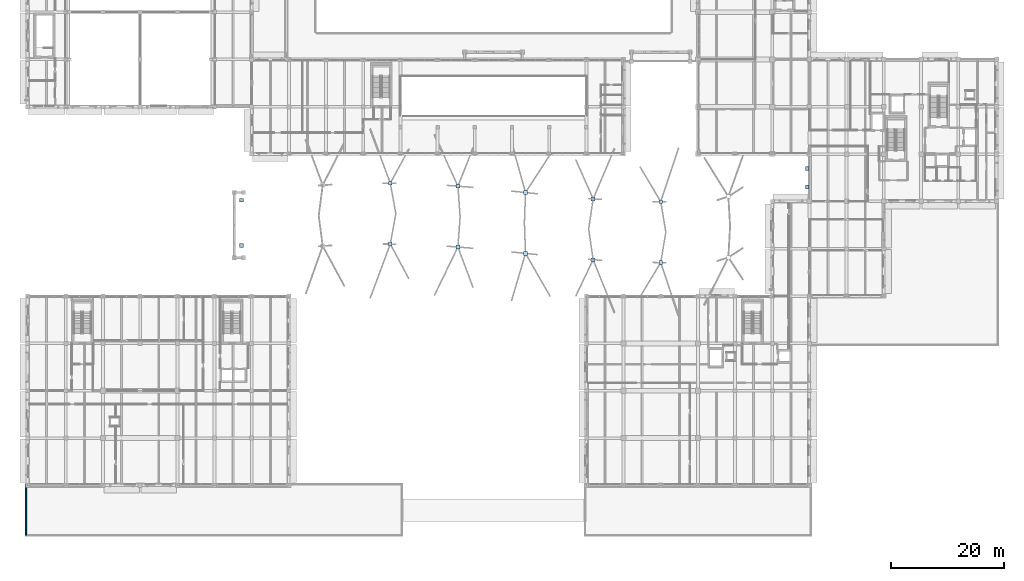
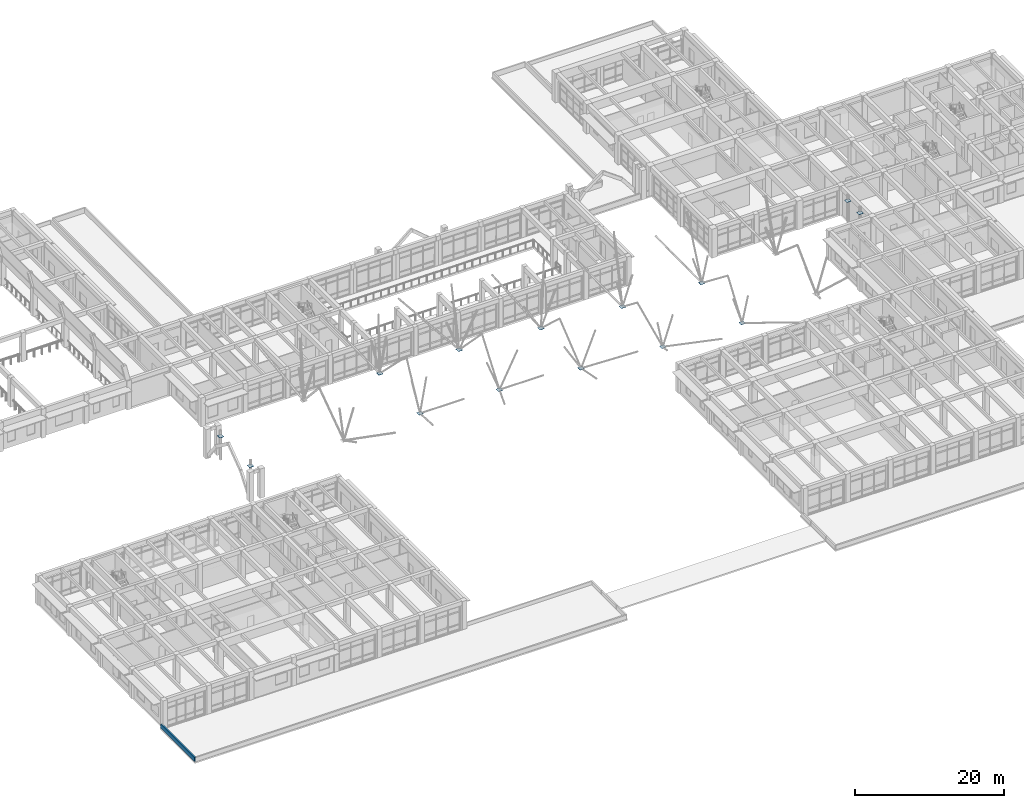
# One storey, part 41 of 75: 14 plates, 1 wall.
"""IFC4 building model written with IfcOpenShell, lengths in metres."""

import ifcopenshell
import ifcopenshell.guid

model = None  # the IFC model being written
_history = None  # IfcOwnerHistory: only IFC2X3 demands one
_inside = {}  # id of a spatial element -> (the spatial element, [elements in it])
_under = {}  # id of a project, library or spatial element -> (it, [spatial elements below it])
_declared = {}  # id of a project -> (the project, [libraries it declares])
_typed = {}  # id of a type object -> (the type object, [elements of that type])
_made_of = {}  # id of a material, layer set ... -> (it, [elements and type objects made of it])


def new_model(schema):
    """Start an empty IFC model of exactly this schema.

    Asked for "IFC4X3", IfcOpenShell would pick the latest addendum, in which some entities
    have other attributes; the version numbers below select the first issue.
    IFC2X3 requires an IfcOwnerHistory on every rooted entity: one is made here for all.
    """
    global model, _history
    if schema == "IFC4X3":
        model = ifcopenshell.file(schema_version=(4, 3, 0, 0))
    else:
        model = ifcopenshell.file(schema=schema)
    _inside.clear()
    _under.clear()
    _declared.clear()
    _typed.clear()
    _made_of.clear()
    _history = None
    if model.schema == "IFC2X3":
        org = make("IfcOrganization", Name="unknown")
        user = make(
            "IfcPersonAndOrganization",
            ThePerson=make("IfcPerson", FamilyName="unknown"),
            TheOrganization=org,
        )
        app = make(
            "IfcApplication",
            ApplicationDeveloper=org,
            Version="unknown",
            ApplicationFullName="unknown",
            ApplicationIdentifier="unknown",
        )
        _history = make(
            "IfcOwnerHistory",
            OwningUser=user,
            OwningApplication=app,
            ChangeAction="ADDED",
            CreationDate=0,
        )
    return model


def make(cls, **values):
    """One entity of the class cls with the attributes given. An attribute that is None is left unset."""
    return model.create_entity(
        cls, **{name: value for name, value in values.items() if value is not None}
    )


def rooted(cls, **values):
    """An entity with a GlobalId (a new one), such as an element, a storey or a relation."""
    return make(cls, GlobalId=ifcopenshell.guid.new(), OwnerHistory=_history, **values)


def si_unit(unit_type, name, prefix=None):
    """IfcSIUnit, for example si_unit("LENGTHUNIT", "METRE", prefix="MILLI")."""
    return make("IfcSIUnit", UnitType=unit_type, Prefix=prefix, Name=name)


def assignment(units):
    """IfcUnitAssignment: the units of a project."""
    return None if units is None else make("IfcUnitAssignment", Units=units)


def point(xyz):
    """IfcCartesianPoint."""
    return None if xyz is None else make("IfcCartesianPoint", Coordinates=xyz)


def direction(xyz):
    """IfcDirection."""
    return None if xyz is None else make("IfcDirection", DirectionRatios=xyz)


def frame(location, z_axis=None, x_axis=None):
    """IfcAxis2Placement3D, a coordinate frame: its origin and axes. An axis left out is left unset."""
    return make(
        "IfcAxis2Placement3D",
        Location=point(location),
        Axis=direction(z_axis),
        RefDirection=direction(x_axis),
    )


def frame_2d(location, x_axis=None):
    """IfcAxis2Placement2D, a coordinate frame in the plane: its origin and x axis."""
    return make(
        "IfcAxis2Placement2D", Location=point(location), RefDirection=direction(x_axis)
    )


def origin():
    """The frame at (0, 0, 0) with its axes left unset."""
    return frame((0.0, 0.0, 0.0))


def origin_2d():
    """The frame at (0, 0) in the plane with its x axis left unset."""
    return frame_2d((0.0, 0.0))


def place(relative_to, where):
    """IfcLocalPlacement: puts the frame where relative to a parent placement (None: the world)."""
    return make(
        "IfcLocalPlacement", PlacementRelTo=relative_to, RelativePlacement=where
    )


def context(
    kind, dimensions, precision=None, world=None, true_north=None, identifier=None
):
    """IfcGeometricRepresentationContext, for example the 3D "Model" context."""
    return make(
        "IfcGeometricRepresentationContext",
        ContextIdentifier=identifier,
        ContextType=kind,
        CoordinateSpaceDimension=dimensions,
        Precision=precision,
        WorldCoordinateSystem=world,
        TrueNorth=true_north,
    )


def subcontext(parent, identifier, kind, view, scale=None):
    """IfcGeometricRepresentationSubContext, for example "Body" below "Model"."""
    return make(
        "IfcGeometricRepresentationSubContext",
        ContextIdentifier=identifier,
        ContextType=kind,
        ParentContext=parent,
        TargetScale=scale,
        TargetView=view,
    )


def project(units=None, contexts=None):
    """IfcProject with its units and contexts."""
    return rooted(
        "IfcProject",
        Name="project",
        RepresentationContexts=contexts,
        UnitsInContext=assignment(units),
    )


def spatial(cls, under=None, at=None, **own):
    """A site, building, storey or space (cls), placed at a placement, below another one or the project."""
    s = rooted(cls, ObjectPlacement=at, **own)
    if under is not None:
        _under.setdefault(under.id(), (under, []))[1].append(s)
    return s


def profile(cls, at=None, kind="AREA", **sizes):
    """A parametric profile (cls). Its sizes go by their IFC names, for example OverallWidth=200.0."""
    return make(cls, ProfileType=kind, Position=at, **sizes)


def rectangle(**sizes):
    """IfcRectangleProfileDef."""
    return profile("IfcRectangleProfileDef", **sizes)


def extrude(swept, where, along, depth):
    """IfcExtrudedAreaSolid: the profile swept, set in the frame where, extruded along a direction by depth."""
    return make(
        "IfcExtrudedAreaSolid",
        SweptArea=swept,
        Position=where,
        ExtrudedDirection=direction(along),
        Depth=depth,
    )


def shape(context_of_items, identifier, shape_type, items):
    """IfcShapeRepresentation: the items that make up one representation, for example the "Body"."""
    return make(
        "IfcShapeRepresentation",
        ContextOfItems=context_of_items,
        RepresentationIdentifier=identifier,
        RepresentationType=shape_type,
        Items=items,
    )


def material(Name=None, Category=None):
    """IfcMaterial."""
    return make("IfcMaterial", Name=Name, Category=Category)


def layer(
    of_material, thickness, ventilated=None, Name=None, Category=None, Priority=None
):
    """IfcMaterialLayer: one layer of a wall or slab, of a material (None: an air gap)."""
    return make(
        "IfcMaterialLayer",
        Material=of_material,
        LayerThickness=thickness,
        IsVentilated=ventilated,
        Name=Name,
        Category=Category,
        Priority=Priority,
    )


def layer_set(layers, Name=None):
    """IfcMaterialLayerSet."""
    return make("IfcMaterialLayerSet", MaterialLayers=layers, LayerSetName=Name)


def made_of(thing, what):
    """Note that an element or type object is made of a material, layer set ...; save() writes the relation."""
    if what is not None:
        _made_of.setdefault(what.id(), (what, []))[1].append(thing)
    return thing


def type_object(cls, material=None, **own):
    """A type object (cls), such as IfcWallType, which elements share."""
    return made_of(rooted(cls, **own), material)


def element(
    cls,
    number,
    at=None,
    inside=None,
    cuts=None,
    type_object=None,
    material=None,
    context=None,
    identifier="Body",
    shape_type=None,
    held_by="IfcProductDefinitionShape",
    body=None,
    shapes=None,
    **own,
):
    """One element of the class cls, such as IfcWall. Its Tag is "e" and its number.

    at: its placement. inside: the storey or other place that contains it. cuts: it is an
    opening in that element (IfcRelVoidsElement). A single representation is given by context,
    identifier, shape_type and body (its items); several are given by shapes. held_by: the class
    of the entity that holds the representations. save() writes the other relations.
    """
    e = rooted(cls, Tag="e%d" % number, ObjectPlacement=at, **own)
    if body is not None:
        shapes = [shape(context, identifier, shape_type, body)]
    if shapes is not None:
        e.Representation = make(held_by, Representations=shapes)
    if inside is not None:
        _inside.setdefault(inside.id(), (inside, []))[1].append(e)
    if cuts is not None:
        rooted(
            "IfcRelVoidsElement", RelatingBuildingElement=cuts, RelatedOpeningElement=e
        )
    if type_object is not None:
        _typed.setdefault(type_object.id(), (type_object, []))[1].append(e)
    return made_of(e, material)


def aggregate(whole, parts):
    """IfcRelAggregates: a whole, such as a stair, and the parts it consists of."""
    return rooted("IfcRelAggregates", RelatingObject=whole, RelatedObjects=parts)


def save(model, path):
    """Write the relations noted so far, then the file.

    IfcRelAggregates (storeys below a building ...), IfcRelContainedInSpatialStructure (elements
    in a storey), IfcRelDefinesByType, IfcRelAssociatesMaterial and IfcRelDeclares: one each for
    every whole, place, type object, material and project.
    """
    for whole, parts in _under.values():
        aggregate(whole, parts)
    for where, things in _inside.values():
        rooted(
            "IfcRelContainedInSpatialStructure",
            RelatedElements=things,
            RelatingStructure=where,
        )
    for kind, things in _typed.values():
        rooted("IfcRelDefinesByType", RelatedObjects=things, RelatingType=kind)
    for what, things in _made_of.values():
        rooted("IfcRelAssociatesMaterial", RelatedObjects=things, RelatingMaterial=what)
    for by, libraries in _declared.values():
        rooted("IfcRelDeclares", RelatingContext=by, RelatedDefinitions=libraries)
    model.write(path)


model = new_model("IFC4")

# Units and contexts
model_context = context("Model", 3, precision=1e-05, world=origin(), true_north=direction((0.0, 1.0)))
body_context = subcontext(model_context, "Body", "Model", "MODEL_VIEW")
ifc_project = project(units=[si_unit("LENGTHUNIT", "METRE"), si_unit("AREAUNIT", "SQUARE_METRE"), si_unit("VOLUMEUNIT", "CUBIC_METRE"), si_unit("PLANEANGLEUNIT", "RADIAN"), si_unit("MASSUNIT", "GRAM", prefix="KILO")], contexts=[model_context])

# Site, building, storey
site_placement = place(None, origin())
site = spatial("IfcSite", under=ifc_project, at=site_placement, CompositionType="ELEMENT")
building_placement = place(site_placement, origin())
building = spatial("IfcBuilding", under=site, at=building_placement, Name="Kolvaren Faculty of Natural Sciences", CompositionType="ELEMENT")
storey_placement = place(building_placement, frame((0.0, 0.0, 5.39990234375)))
storey = spatial("IfcBuildingStorey", under=building, at=storey_placement, Name="L01", CompositionType="ELEMENT", Elevation=5.39990234375)

# Plates
ifc_material_1 = material(Name="Structural steel EN 10025-2 S355J2 (white architectural finish)", Category="steel")
ifc_layer_1 = layer(ifc_material_1, 0.030029296875)
ifc_layer_set_1 = layer_set([ifc_layer_1], Name="Structural steel EN 10025-2 S355J2 (white architectural finish)")
plate_type_1 = type_object("IfcPlateType", Name="PortalTreeNodePlate_TN2", PredefinedType="USERDEFINED", material=ifc_layer_set_1)
for number, where, z_axis, x_axis, name in (
    (1, (38.0, 51.199951171875, 3.78759765625), (0.0, 0.0, 1.0), (1.0, 0.0, 0.0), "Canopy portal W-S branch collar node TN2"),
    (2, (38.0, 59.199951171875, 3.78759765625), (0.0, 0.0, 1.0), (1.0, 0.0, 0.0), "Canopy portal W-N branch collar node TN2"),
    (3, (138.39990234375, 61.565185546875, 3.78759765625), (0.0, 0.0, 1.0), (1.0, 0.0, 0.0), "Canopy portal E-S branch collar node TN2"),
    (4, (138.39990234375, 64.834716796875, 3.78759765625), (0.0, 0.0, 1.0), (1.0, 0.0, 0.0), "Canopy portal E-N branch collar node TN2"),
):
    element("IfcPlate", number, at=place(storey_placement, frame(where, z_axis=z_axis, x_axis=x_axis)), inside=storey, type_object=plate_type_1, Name=name, ObjectType="GUSSET PLATE", PredefinedType="USERDEFINED", context=body_context, shape_type="SweptSolid", body=[
        extrude(rectangle(XDim=0.679931640625, YDim=0.679931640625, at=origin_2d()), origin(), (0.0, 0.0, 1.0), 0.02490234375),
    ])
ifc_layer_2 = layer(ifc_material_1, 0.02490234375)
ifc_layer_set_2 = layer_set([ifc_layer_2], Name="Structural steel EN 10025-2 S355J2 (white architectural finish)")
plate_type_2 = type_object("IfcPlateType", Name="TreeTrunkNodePlate_TN1", PredefinedType="USERDEFINED", material=ifc_layer_set_2)
for number, where, z_axis, x_axis, name in (
    (5, (64.39990234375, 51.444580078125, 2.987548828125), (0.0, 0.0, 1.0), (1.0, 0.0, 0.0), "Steel tree TREE-03 branching gusset node TN1"),
    (6, (64.39990234375, 62.244384765625, 2.987548828125), (0.0, 0.0, 1.0), (1.0, 0.0, 0.0), "Steel tree TREE-04 branching gusset node TN1"),
    (7, (76.39990234375, 50.91064453125, 2.987548828125), (0.0, 0.0, 1.0), (1.0, 0.0, 0.0), "Steel tree TREE-05 branching gusset node TN1"),
    (8, (76.39990234375, 61.710693359375, 2.987548828125), (0.0, 0.0, 1.0), (1.0, 0.0, 0.0), "Steel tree TREE-06 branching gusset node TN1"),
    (9, (88.39990234375, 49.779296875, 2.987548828125), (0.0, 0.0, 1.0), (1.0, 0.0, 0.0), "Steel tree TREE-07 branching gusset node TN1"),
    (10, (88.39990234375, 60.579345703125, 2.987548828125), (0.0, 0.0, 1.0), (1.0, 0.0, 0.0), "Steel tree TREE-08 branching gusset node TN1"),
    (11, (100.39990234375, 48.6591796875, 2.987548828125), (0.0, 0.0, 1.0), (1.0, 0.0, 0.0), "Steel tree TREE-09 branching gusset node TN1"),
    (12, (100.39990234375, 59.458984375, 2.987548828125), (0.0, 0.0, 1.0), (1.0, 0.0, 0.0), "Steel tree TREE-10 branching gusset node TN1"),
    (13, (112.39990234375, 48.152587890625, 2.987548828125), (0.0, 0.0, 1.0), (1.0, 0.0, 0.0), "Steel tree TREE-11 branching gusset node TN1"),
    (14, (112.39990234375, 58.95263671875, 2.987548828125), (0.0, 0.0, 1.0), (1.0, 0.0, 0.0), "Steel tree TREE-12 branching gusset node TN1"),
):
    element("IfcPlate", number, at=place(storey_placement, frame(where, z_axis=z_axis, x_axis=x_axis)), inside=storey, type_object=plate_type_2, Name=name, ObjectType="GUSSET PLATE", PredefinedType="USERDEFINED", context=body_context, shape_type="SweptSolid", body=[
        extrude(rectangle(XDim=0.679931640625, YDim=0.679931640625, at=origin_2d()), origin(), (0.0, 0.0, 1.0), 0.02490234375),
    ])

# Wall
ifc_material_2 = material(Name="Precast concrete C35/45", Category="concrete")
ifc_layer_3 = layer(ifc_material_2, 0.219970703125)
ifc_layer_set_3 = layer_set([ifc_layer_3], Name="Precast concrete C35/45")
wall_type = type_object("IfcWallType", Name="ParapetUpstandWall_220", PredefinedType="PARAPET", material=ifc_layer_set_3)
wall_placement = place(storey_placement, frame((-0.280029296875, -0.280029296875, 0.0), z_axis=(0.0, 0.0, 1.0), x_axis=(0.0, 1.0, 0.0)))
element("IfcWall", 15, at=wall_placement, inside=storey, type_object=wall_type, Name="L01 architectural sandstone roof parapet 6", PredefinedType="PARAPET", context=body_context, shape_type="SweptSolid", body=[
    extrude(rectangle(XDim=9.110107421875, YDim=0.219970703125, at=frame_2d((4.55517578125, 0.0))), origin(), (0.0, 0.0, 1.0), 0.68017578125),
])

save(model, "model.ifc")
